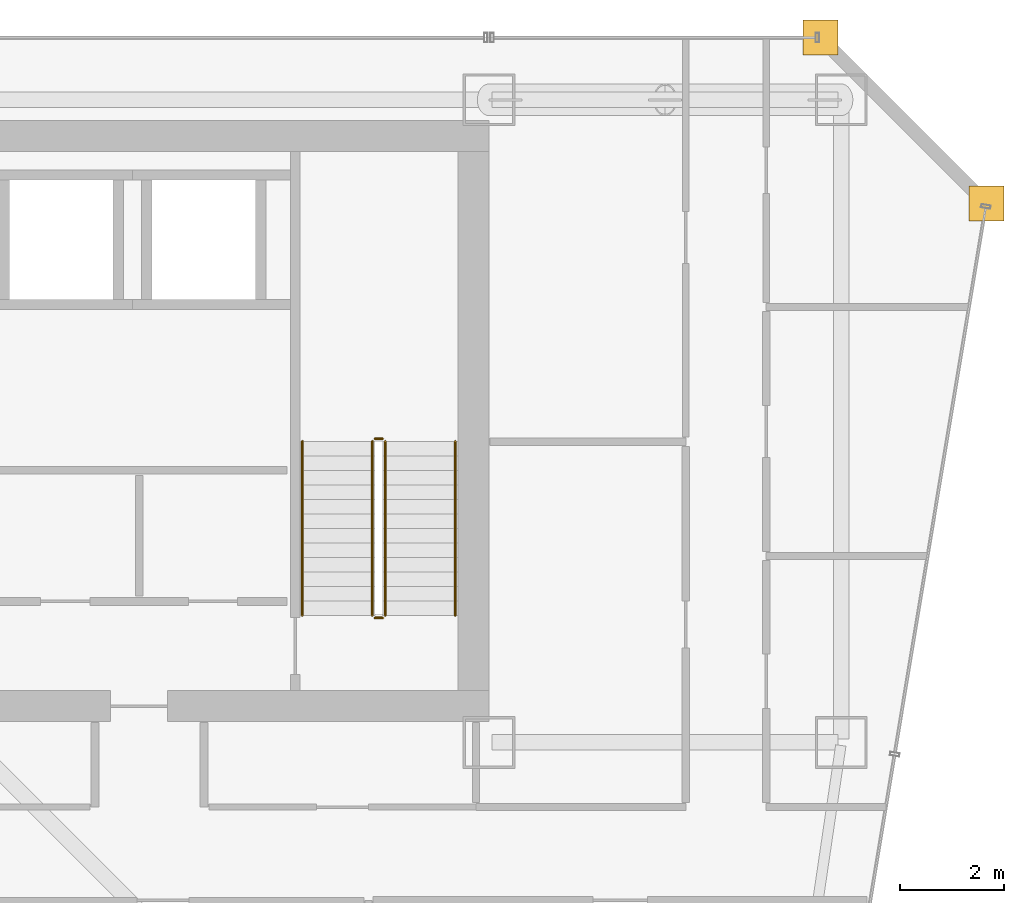
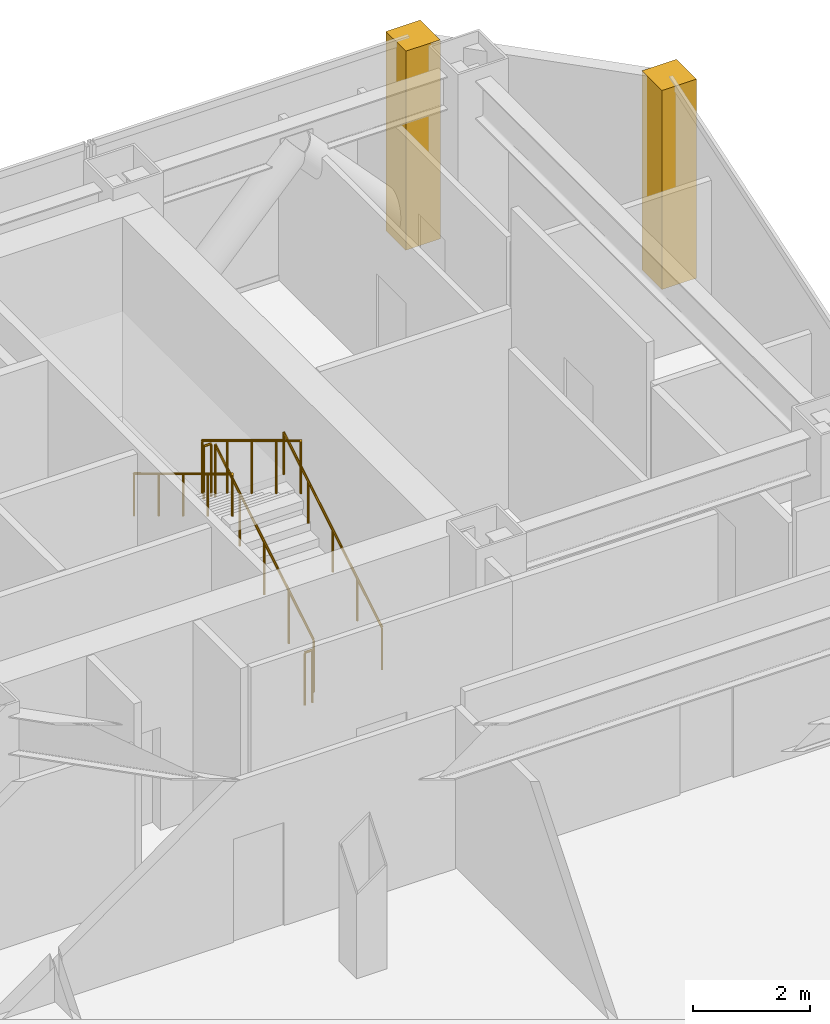
# One storey, part 37 of 37: 6 railings, 2 coverings.
"""IFC4 building model written with IfcOpenShell, lengths in metres."""

from ifc_helpers import new_model, si_unit, direction, frame, origin, origin_2d, place, context, subcontext, project, spatial, polyline, circle, outline, extrude, material, layer, layer_set, type_object, element, save


model = new_model("IFC4")

# Units and contexts
model_context = context("Model", 3, precision=1e-05, world=origin(), true_north=direction((0.0, 1.0)))
body_context = subcontext(model_context, "Body", "Model", "MODEL_VIEW")
ifc_project = project(units=[si_unit("LENGTHUNIT", "METRE"), si_unit("AREAUNIT", "SQUARE_METRE"), si_unit("VOLUMEUNIT", "CUBIC_METRE"), si_unit("PLANEANGLEUNIT", "RADIAN"), si_unit("MASSUNIT", "GRAM", prefix="KILO")], contexts=[model_context])

# Site, building, storey
site_placement = place(None, origin())
site = spatial("IfcSite", under=ifc_project, at=site_placement, CompositionType="ELEMENT")
building_placement = place(site_placement, origin())
building = spatial("IfcBuilding", under=site, at=building_placement, Name="Saevonmaru Cultural Tower", CompositionType="ELEMENT")
storey_placement = place(building_placement, frame((0.0, 0.0, 106.0)))
storey = spatial("IfcBuildingStorey", under=building, at=storey_placement, Name="L22", CompositionType="ELEMENT", Elevation=106.0)

# Coverings
ifc_material_1 = material(Name="Satin Bronze Anodised Aluminium", Category="aluminium")
ifc_layer = layer(ifc_material_1, 0.679931640625, Name="Satin Bronze Anodised Aluminium")
ifc_layer_set = layer_set([ifc_layer], Name="Satin Bronze Anodised Aluminium")
covering_type = type_object("IfcCoveringType", Name="CV-CORNER-CLAD", PredefinedType="CLADDING", material=ifc_layer_set)
covering_1_placement = place(storey_placement, origin())
element("IfcCovering", 1, at=covering_1_placement, inside=storey, type_object=covering_type, Name="L22 Tower Bronze Corner Cladding Pier 9", PredefinedType="CLADDING", context=body_context, shape_type="SweptSolid", body=[
    extrude(outline(polyline([(55.659912109375, 52.4599609375), (56.340087890625, 52.4599609375), (56.340087890625, 53.139892578125), (55.659912109375, 53.139892578125), (55.659912109375, 52.4599609375)])), origin(), (0.0, 0.0, 1.0), 4.14990234375),
])
covering_2_placement = place(storey_placement, origin())
element("IfcCovering", 2, at=covering_2_placement, inside=storey, type_object=covering_type, Name="L22 Tower Bronze Corner Cladding Pier 10", PredefinedType="CLADDING", context=body_context, shape_type="SweptSolid", body=[
    extrude(outline(polyline([(52.4599609375, 55.659912109375), (53.139892578125, 55.659912109375), (53.139892578125, 56.340087890625), (52.4599609375, 56.340087890625), (52.4599609375, 55.659912109375)])), origin(), (0.0, 0.0, 1.0), 4.14990234375),
])

# Railings
ifc_material_2 = material(Name="Architectural Painted Steel", Category="steel")
railing_type_1 = type_object("IfcRailingType", Name="RL-STAIR-GUARD", PredefinedType="GUARDRAIL", material=ifc_material_2)
railing_1_placement = place(storey_placement, frame((44.39990234375, 44.85009765625, 0.169189453125)))
element("IfcRailing", 3, at=railing_1_placement, inside=storey, type_object=railing_type_1, Name="L22 ST-2 stair guard 1", PredefinedType="GUARDRAIL", context=body_context, shape_type="SweptSolid", body=[
    extrude(circle(Radius=0.02392578125, at=origin_2d()), frame((0.0, 0.0, 1.09619140625), z_axis=(0.0, 0.855820338506, 0.51727318527), x_axis=(-1.0, 0.0, 0.0)), (0.0, 0.0, 1.0), 3.92578125),
    extrude(circle(Radius=0.02099609375, at=origin_2d()), origin(), (0.0, 0.0, 1.0), 1.072021484375),
    extrude(circle(Radius=0.02099609375, at=origin_2d()), frame((0.0, 0.83984375, 0.5078125)), (0.0, 0.0, 1.0), 1.072021484375),
    extrude(circle(Radius=0.02099609375, at=origin_2d()), frame((0.0, 1.679931640625, 1.015380859375)), (0.0, 0.0, 1.0), 1.072021484375),
    extrude(circle(Radius=0.02099609375, at=origin_2d()), frame((0.0, 2.52001953125, 1.52294921875)), (0.0, 0.0, 1.0), 1.072021484375),
    extrude(circle(Radius=0.02099609375, at=origin_2d()), frame((0.0, 3.35986328125, 2.03076171875)), (0.0, 0.0, 1.0), 1.072021484375),
])
railing_2_placement = place(storey_placement, frame((44.35009765625, 48.260009765625, 2.199951171875)))
element("IfcRailing", 4, at=railing_2_placement, inside=storey, type_object=railing_type_1, Name="L22 ST-2 stair guard 2", PredefinedType="GUARDRAIL", context=body_context, shape_type="SweptSolid", body=[
    extrude(circle(Radius=0.02392578125, at=origin_2d()), frame((0.0, 0.0, 1.09619140625), z_axis=(-1.0, 0.0, 0.0), x_axis=(0.0, -1.0, 0.0)), (0.0, 0.0, 1.0), 0.150146484375),
    extrude(circle(Radius=0.02099609375, at=origin_2d()), origin(), (0.0, 0.0, 1.0), 1.072021484375),
    extrude(circle(Radius=0.02099609375, at=origin_2d()), frame((-0.150146484375, 0.0, 0.0)), (0.0, 0.0, 1.0), 1.072021484375),
])
railing_3_placement = place(storey_placement, frame((44.14990234375, 48.2099609375, 2.369140625)))
element("IfcRailing", 5, at=railing_3_placement, inside=storey, type_object=railing_type_1, Name="L22 ST-2 stair guard 3", PredefinedType="GUARDRAIL", context=body_context, shape_type="SweptSolid", body=[
    extrude(circle(Radius=0.02392578125, at=origin_2d()), frame((0.0, 0.0, 1.09619140625), z_axis=(0.0, -0.855820338506, 0.51727318527), x_axis=(1.0, 0.0, 0.0)), (0.0, 0.0, 1.0), 3.92578125),
    extrude(circle(Radius=0.02099609375, at=origin_2d()), origin(), (0.0, 0.0, 1.0), 1.072021484375),
    extrude(circle(Radius=0.02099609375, at=origin_2d()), frame((0.0, -0.83984375, 0.5078125)), (0.0, 0.0, 1.0), 1.072021484375),
    extrude(circle(Radius=0.02099609375, at=origin_2d()), frame((0.0, -1.679931640625, 1.015380859375)), (0.0, 0.0, 1.0), 1.072021484375),
    extrude(circle(Radius=0.02099609375, at=origin_2d()), frame((0.0, -2.52001953125, 1.52294921875)), (0.0, 0.0, 1.0), 1.072021484375),
    extrude(circle(Radius=0.02099609375, at=origin_2d()), frame((0.0, -3.35986328125, 2.03076171875)), (0.0, 0.0, 1.0), 1.072021484375),
])
railing_4_placement = place(storey_placement, frame((44.35009765625, 44.800048828125, 0.0)))
element("IfcRailing", 6, at=railing_4_placement, inside=storey, type_object=railing_type_1, Name="L22 ST-2 stair guard 4", PredefinedType="GUARDRAIL", context=body_context, shape_type="SweptSolid", body=[
    extrude(circle(Radius=0.02392578125, at=origin_2d()), frame((0.0, 0.0, 1.09619140625), z_axis=(-1.0, 0.0, 0.0), x_axis=(0.0, -1.0, 0.0)), (0.0, 0.0, 1.0), 0.150146484375),
    extrude(circle(Radius=0.02099609375, at=origin_2d()), origin(), (0.0, 0.0, 1.0), 1.072021484375),
    extrude(circle(Radius=0.02099609375, at=origin_2d()), frame((-0.150146484375, 0.0, 0.0)), (0.0, 0.0, 1.0), 1.072021484375),
])
railing_type_2 = type_object("IfcRailingType", Name="RL-STAIR-HANDRAIL", PredefinedType="HANDRAIL", material=ifc_material_1)
railing_5_placement = place(storey_placement, frame((45.75, 44.85009765625, 0.169189453125)))
element("IfcRailing", 7, at=railing_5_placement, inside=storey, type_object=railing_type_2, Name="L22 ST-2 stair handrail 1", PredefinedType="HANDRAIL", context=body_context, shape_type="SweptSolid", body=[
    extrude(circle(Radius=0.02392578125, at=origin_2d()), frame((0.0, 0.0, 0.8759765625), z_axis=(0.0, 0.855820338506, 0.51727318527), x_axis=(-1.0, 0.0, 0.0)), (0.0, 0.0, 1.0), 3.92578125),
    extrude(circle(Radius=0.02099609375, at=origin_2d()), origin(), (0.0, 0.0, 1.0), 0.851806640625),
    extrude(circle(Radius=0.02099609375, at=origin_2d()), frame((0.0, 0.83984375, 0.5078125)), (0.0, 0.0, 1.0), 0.851806640625),
    extrude(circle(Radius=0.02099609375, at=origin_2d()), frame((0.0, 1.679931640625, 1.015380859375)), (0.0, 0.0, 1.0), 0.851806640625),
    extrude(circle(Radius=0.02099609375, at=origin_2d()), frame((0.0, 2.52001953125, 1.52294921875)), (0.0, 0.0, 1.0), 0.851806640625),
    extrude(circle(Radius=0.02099609375, at=origin_2d()), frame((0.0, 3.35986328125, 2.03076171875)), (0.0, 0.0, 1.0), 0.851806640625),
])
railing_6_placement = place(storey_placement, frame((42.800048828125, 48.2099609375, 2.369140625)))
element("IfcRailing", 8, at=railing_6_placement, inside=storey, type_object=railing_type_2, Name="L22 ST-2 stair handrail 2", PredefinedType="HANDRAIL", context=body_context, shape_type="SweptSolid", body=[
    extrude(circle(Radius=0.02392578125, at=origin_2d()), frame((0.0, 0.0, 0.8759765625), z_axis=(0.0, -0.855820338506, 0.51727318527), x_axis=(1.0, 0.0, 0.0)), (0.0, 0.0, 1.0), 3.92578125),
    extrude(circle(Radius=0.02099609375, at=origin_2d()), origin(), (0.0, 0.0, 1.0), 0.851806640625),
    extrude(circle(Radius=0.02099609375, at=origin_2d()), frame((0.0, -0.83984375, 0.5078125)), (0.0, 0.0, 1.0), 0.851806640625),
    extrude(circle(Radius=0.02099609375, at=origin_2d()), frame((0.0, -1.679931640625, 1.015380859375)), (0.0, 0.0, 1.0), 0.851806640625),
    extrude(circle(Radius=0.02099609375, at=origin_2d()), frame((0.0, -2.52001953125, 1.52294921875)), (0.0, 0.0, 1.0), 0.851806640625),
    extrude(circle(Radius=0.02099609375, at=origin_2d()), frame((0.0, -3.35986328125, 2.03076171875)), (0.0, 0.0, 1.0), 0.851806640625),
])

save(model, "model.ifc")
